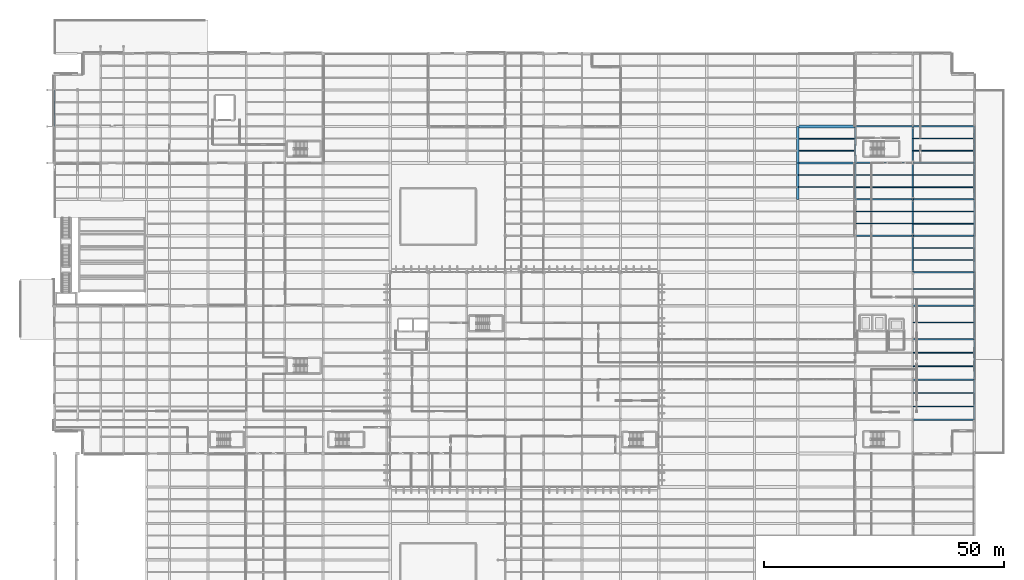
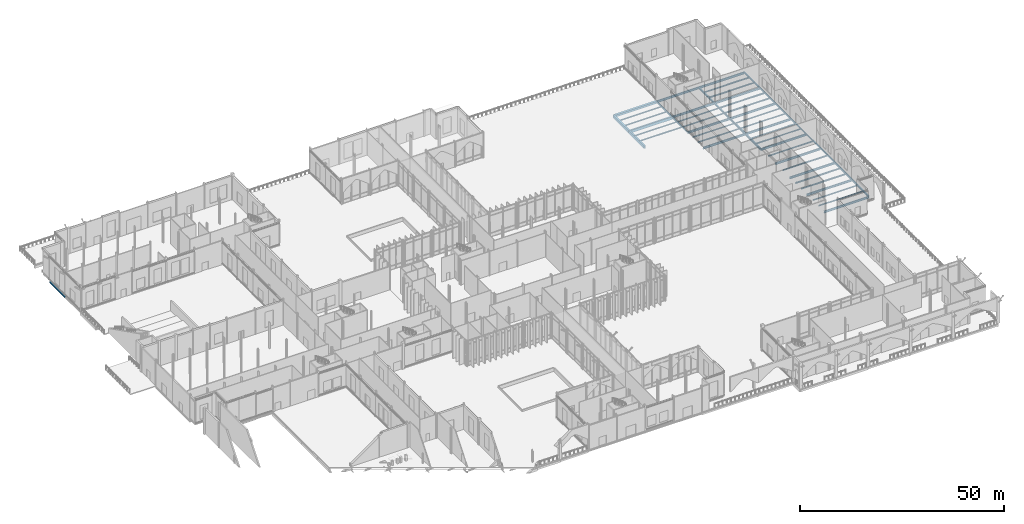
# One storey, part 112 of 176: 54 beams.
"""IFC4 building model written with IfcOpenShell, lengths in metres."""

from ifc_helpers import new_model, si_unit, direction, frame, origin, origin_2d, place, context, subcontext, project, spatial, rectangle, i_section, extrude, material, material_profile, profile_set, type_object, element, save


model = new_model("IFC4")

# Units and contexts
model_context = context("Model", 3, precision=1e-05, world=origin(), true_north=direction((0.0, 1.0)))
body_context = subcontext(model_context, "Body", "Model", "MODEL_VIEW")
ifc_project = project(units=[si_unit("LENGTHUNIT", "METRE"), si_unit("AREAUNIT", "SQUARE_METRE"), si_unit("VOLUMEUNIT", "CUBIC_METRE"), si_unit("PLANEANGLEUNIT", "RADIAN"), si_unit("MASSUNIT", "GRAM", prefix="KILO")], contexts=[model_context])

# Site, building, storey
site_placement = place(None, origin())
site = spatial("IfcSite", under=ifc_project, at=site_placement, CompositionType="ELEMENT")
building_placement = place(site_placement, origin())
building = spatial("IfcBuilding", under=site, at=building_placement, Name="Vekula Escarpment Museum", CompositionType="ELEMENT")
storey_placement = place(building_placement, origin())
storey = spatial("IfcBuildingStorey", under=building, at=storey_placement, Name="L01", CompositionType="ELEMENT", Elevation=0.0)

# Beams
ifc_material_1 = material(Name="Steel S355", Category="steel")
ifc_material_profile_1 = material_profile(ifc_material_1, i_section(OverallWidth=0.300048828125, OverallDepth=0.550048828125, WebThickness=0.014892578125, FlangeThickness=0.029052734375, FilletRadius=0.027099609375, at=origin_2d()), Name="HEB 550")
ifc_profile_set_1 = profile_set([ifc_material_profile_1], Name="Steel S355")
beam_type_1 = type_object("IfcBeamType", Name="BM-GIRD-HEB550", PredefinedType="BEAM", material=ifc_profile_set_1)
for number, where, z_axis, x_axis, name in (
    (1, (179.0, 90.39990234375, -0.574951171875), (0.0, 1.0, 0.0), (-1.0, 0.0, 0.0), "Beam Y L01 0756"),
    (2, (179.0, 98.0, -0.574951171875), (0.0, 1.0, 0.0), (-1.0, 0.0, 0.0), "Beam Y L01 0757"),
):
    element("IfcBeam", number, at=place(storey_placement, frame(where, z_axis=z_axis, x_axis=x_axis)), inside=storey, type_object=beam_type_1, Name=name, PredefinedType="BEAM", context=body_context, shape_type="SweptSolid", body=[
        extrude(i_section(OverallWidth=0.300048828125, OverallDepth=0.550048828125, WebThickness=0.014892578125, FlangeThickness=0.029052734375, FilletRadius=0.027099609375, at=origin_2d()), origin(), (0.0, 0.0, 1.0), 7.60009765625),
    ])
beam_1_placement = place(storey_placement, frame((179.0, 105.60009765625, -0.574951171875), z_axis=(0.0, 1.0, 0.0), x_axis=(-1.0, 0.0, 0.0)))
element("IfcBeam", 3, at=beam_1_placement, inside=storey, type_object=beam_type_1, Name="Beam Y L01 0758", PredefinedType="BEAM", context=body_context, shape_type="SweptSolid", body=[
    extrude(i_section(OverallWidth=0.300048828125, OverallDepth=0.550048828125, WebThickness=0.014892578125, FlangeThickness=0.029052734375, FilletRadius=0.027099609375, at=origin_2d()), origin(), (0.0, 0.0, 1.0), 7.599853515625),
])
beam_2_placement = place(storey_placement, frame((179.0, 113.199951171875, -0.574951171875), z_axis=(0.0, 1.0, 0.0), x_axis=(-1.0, 0.0, 0.0)))
element("IfcBeam", 4, at=beam_2_placement, inside=storey, type_object=beam_type_1, Name="Beam Y L01 0759", PredefinedType="BEAM", context=body_context, shape_type="SweptSolid", body=[
    extrude(i_section(OverallWidth=0.300048828125, OverallDepth=0.550048828125, WebThickness=0.014892578125, FlangeThickness=0.029052734375, FilletRadius=0.027099609375, at=origin_2d()), origin(), (0.0, 0.0, 1.0), 7.60009765625),
])
ifc_material_2 = material(Name="Steel S355", Category="steel")
ifc_material_profile_2 = material_profile(ifc_material_2, i_section(OverallWidth=0.300048828125, OverallDepth=0.60009765625, WebThickness=0.015380859375, FlangeThickness=0.030029296875, FilletRadius=0.027099609375, at=origin_2d()), Name="HEB 600")
ifc_profile_set_2 = profile_set([ifc_material_profile_2], Name="Steel S355")
beam_type_2 = type_object("IfcBeamType", Name="BM-GIRD-HEB600", PredefinedType="BEAM", material=ifc_profile_set_2)
for number, where, z_axis, x_axis, name in (
    (5, (179.0, 59.60009765625, -0.60009765625), (1.0, 0.0, 0.0), (0.0, 1.0, 0.0), "Beam X L01 0181"),
    (6, (179.0, 68.0, -0.60009765625), (1.0, 0.0, 0.0), (0.0, 1.0, 0.0), "Beam X L01 0204"),
    (7, (179.0, 76.39990234375, -0.60009765625), (1.0, 0.0, 0.0), (0.0, 1.0, 0.0), "Beam X L01 0227"),
    (8, (179.0, 83.39990234375, -0.60009765625), (1.0, 0.0, 0.0), (0.0, 1.0, 0.0), "Beam X L01 0250"),
    (9, (179.0, 90.39990234375, -0.60009765625), (1.0, 0.0, 0.0), (0.0, 1.0, 0.0), "Beam X L01 0269"),
):
    element("IfcBeam", number, at=place(storey_placement, frame(where, z_axis=z_axis, x_axis=x_axis)), inside=storey, type_object=beam_type_2, Name=name, PredefinedType="BEAM", context=body_context, shape_type="SweptSolid", body=[
        extrude(i_section(OverallWidth=0.300048828125, OverallDepth=0.60009765625, WebThickness=0.015380859375, FlangeThickness=0.030029296875, FilletRadius=0.027099609375, at=origin_2d()), origin(), (0.0, 0.0, 1.0), 12.800048828125),
    ])
beam_3_placement = place(storey_placement, frame((167.0, 98.0, -0.60009765625), z_axis=(1.0, 0.0, 0.0), x_axis=(0.0, 1.0, 0.0)))
element("IfcBeam", 10, at=beam_3_placement, inside=storey, type_object=beam_type_2, Name="Beam X L01 0284", PredefinedType="BEAM", context=body_context, shape_type="SweptSolid", body=[
    extrude(i_section(OverallWidth=0.300048828125, OverallDepth=0.60009765625, WebThickness=0.015380859375, FlangeThickness=0.030029296875, FilletRadius=0.027099609375, at=origin_2d()), origin(), (0.0, 0.0, 1.0), 12.0),
])
beam_4_placement = place(storey_placement, frame((179.0, 98.0, -0.60009765625), z_axis=(1.0, 0.0, 0.0), x_axis=(0.0, 1.0, 0.0)))
element("IfcBeam", 11, at=beam_4_placement, inside=storey, type_object=beam_type_2, Name="Beam X L01 0285", PredefinedType="BEAM", context=body_context, shape_type="SweptSolid", body=[
    extrude(i_section(OverallWidth=0.300048828125, OverallDepth=0.60009765625, WebThickness=0.015380859375, FlangeThickness=0.030029296875, FilletRadius=0.027099609375, at=origin_2d()), origin(), (0.0, 0.0, 1.0), 12.800048828125),
])
beam_5_placement = place(storey_placement, frame((167.0, 105.60009765625, -0.60009765625), z_axis=(1.0, 0.0, 0.0), x_axis=(0.0, 1.0, 0.0)))
element("IfcBeam", 12, at=beam_5_placement, inside=storey, type_object=beam_type_2, Name="Beam X L01 0304", PredefinedType="BEAM", context=body_context, shape_type="SweptSolid", body=[
    extrude(i_section(OverallWidth=0.300048828125, OverallDepth=0.60009765625, WebThickness=0.015380859375, FlangeThickness=0.030029296875, FilletRadius=0.027099609375, at=origin_2d()), origin(), (0.0, 0.0, 1.0), 12.0),
])
beam_6_placement = place(storey_placement, frame((179.0, 105.60009765625, -0.60009765625), z_axis=(1.0, 0.0, 0.0), x_axis=(0.0, 1.0, 0.0)))
element("IfcBeam", 13, at=beam_6_placement, inside=storey, type_object=beam_type_2, Name="Beam X L01 0305", PredefinedType="BEAM", context=body_context, shape_type="SweptSolid", body=[
    extrude(i_section(OverallWidth=0.300048828125, OverallDepth=0.60009765625, WebThickness=0.015380859375, FlangeThickness=0.030029296875, FilletRadius=0.027099609375, at=origin_2d()), origin(), (0.0, 0.0, 1.0), 12.800048828125),
])
beam_7_placement = place(storey_placement, frame((167.0, 113.199951171875, -0.60009765625), z_axis=(1.0, 0.0, 0.0), x_axis=(0.0, 1.0, 0.0)))
element("IfcBeam", 14, at=beam_7_placement, inside=storey, type_object=beam_type_2, Name="Beam X L01 0327", PredefinedType="BEAM", context=body_context, shape_type="SweptSolid", body=[
    extrude(i_section(OverallWidth=0.300048828125, OverallDepth=0.60009765625, WebThickness=0.015380859375, FlangeThickness=0.030029296875, FilletRadius=0.027099609375, at=origin_2d()), origin(), (0.0, 0.0, 1.0), 12.0),
])
beam_8_placement = place(storey_placement, frame((179.0, 113.199951171875, -0.60009765625), z_axis=(1.0, 0.0, 0.0), x_axis=(0.0, 1.0, 0.0)))
element("IfcBeam", 15, at=beam_8_placement, inside=storey, type_object=beam_type_2, Name="Beam X L01 0328", PredefinedType="BEAM", context=body_context, shape_type="SweptSolid", body=[
    extrude(i_section(OverallWidth=0.300048828125, OverallDepth=0.60009765625, WebThickness=0.015380859375, FlangeThickness=0.030029296875, FilletRadius=0.027099609375, at=origin_2d()), origin(), (0.0, 0.0, 1.0), 12.800048828125),
])
beam_9_placement = place(storey_placement, frame((167.0, 120.800048828125, -0.60009765625), z_axis=(1.0, 0.0, 0.0), x_axis=(0.0, 1.0, 0.0)))
element("IfcBeam", 16, at=beam_9_placement, inside=storey, type_object=beam_type_2, Name="Beam X L01 0350", PredefinedType="BEAM", context=body_context, shape_type="SweptSolid", body=[
    extrude(i_section(OverallWidth=0.300048828125, OverallDepth=0.60009765625, WebThickness=0.015380859375, FlangeThickness=0.030029296875, FilletRadius=0.027099609375, at=origin_2d()), origin(), (0.0, 0.0, 1.0), 12.0),
])
beam_10_placement = place(storey_placement, frame((179.0, 120.800048828125, -0.60009765625), z_axis=(1.0, 0.0, 0.0), x_axis=(0.0, 1.0, 0.0)))
element("IfcBeam", 17, at=beam_10_placement, inside=storey, type_object=beam_type_2, Name="Beam X L01 0351", PredefinedType="BEAM", context=body_context, shape_type="SweptSolid", body=[
    extrude(i_section(OverallWidth=0.300048828125, OverallDepth=0.60009765625, WebThickness=0.015380859375, FlangeThickness=0.030029296875, FilletRadius=0.027099609375, at=origin_2d()), origin(), (0.0, 0.0, 1.0), 12.800048828125),
])
ifc_material_3 = material(Name="Steel S355", Category="steel")
ifc_material_profile_3 = material_profile(ifc_material_3, i_section(OverallWidth=0.1201171875, OverallDepth=0.239990234375, WebThickness=0.006103515625, FlangeThickness=0.009765625, FilletRadius=0.014892578125, at=origin_2d()), Name="IPE 240")
ifc_profile_set_3 = profile_set([ifc_material_profile_3], Name="Steel S355")
beam_type_3 = type_object("IfcBeamType", Name="BM-JST-IPE240", PredefinedType="JOIST", material=ifc_profile_set_3)
for number, where, z_axis, x_axis, name in (
    (18, (155.090087890625, 108.13330078125, -0.419921875), (1.0, 0.0, 0.0), (0.0, 1.0, 0.0), "Secondary Joist L01 0531"),
    (19, (155.090087890625, 110.666748046875, -0.419921875), (1.0, 0.0, 0.0), (0.0, 1.0, 0.0), "Secondary Joist L01 0532"),
    (20, (167.090087890625, 100.533203125, -0.419921875), (1.0, 0.0, 0.0), (0.0, 1.0, 0.0), "Secondary Joist L01 0559"),
    (21, (167.090087890625, 103.066650390625, -0.419921875), (1.0, 0.0, 0.0), (0.0, 1.0, 0.0), "Secondary Joist L01 0560"),
):
    element("IfcBeam", number, at=place(storey_placement, frame(where, z_axis=z_axis, x_axis=x_axis)), inside=storey, type_object=beam_type_3, Name=name, PredefinedType="JOIST", context=body_context, shape_type="SweptSolid", body=[
        extrude(i_section(OverallWidth=0.1201171875, OverallDepth=0.239990234375, WebThickness=0.006103515625, FlangeThickness=0.009765625, FilletRadius=0.014892578125, at=origin_2d()), origin(), (0.0, 0.0, 1.0), 11.81982421875),
    ])
for number, where, z_axis, x_axis, name in (
    (22, (179.090087890625, 92.933349609375, -0.419921875), (1.0, 0.0, 0.0), (0.0, 1.0, 0.0), "Secondary Joist L01 0585"),
    (23, (179.090087890625, 95.466796875, -0.419921875), (1.0, 0.0, 0.0), (0.0, 1.0, 0.0), "Secondary Joist L01 0586"),
):
    element("IfcBeam", number, at=place(storey_placement, frame(where, z_axis=z_axis, x_axis=x_axis)), inside=storey, type_object=beam_type_3, Name=name, PredefinedType="JOIST", context=body_context, shape_type="SweptSolid", body=[
        extrude(i_section(OverallWidth=0.1201171875, OverallDepth=0.239990234375, WebThickness=0.006103515625, FlangeThickness=0.009765625, FilletRadius=0.014892578125, at=origin_2d()), origin(), (0.0, 0.0, 1.0), 12.619873046875),
    ])
ifc_material_4 = material(Name="Steel S355", Category="steel")
ifc_material_profile_4 = material_profile(ifc_material_4, i_section(OverallWidth=0.135009765625, OverallDepth=0.27001953125, WebThickness=0.006591796875, FlangeThickness=0.01025390625, FilletRadius=0.014892578125, at=origin_2d()), Name="IPE 270")
ifc_profile_set_4 = profile_set([ifc_material_profile_4], Name="Steel S355")
beam_type_4 = type_object("IfcBeamType", Name="BM-JST-IPE270", PredefinedType="JOIST", material=ifc_profile_set_4)
beam_11_placement = place(storey_placement, frame((179.090087890625, 86.89990234375, -0.43505859375), z_axis=(1.0, 0.0, 0.0), x_axis=(0.0, 1.0, 0.0)))
element("IfcBeam", 24, at=beam_11_placement, inside=storey, type_object=beam_type_4, Name="Secondary Joist L01 0584", PredefinedType="JOIST", context=body_context, shape_type="SweptSolid", body=[
    extrude(i_section(OverallWidth=0.135009765625, OverallDepth=0.27001953125, WebThickness=0.006591796875, FlangeThickness=0.01025390625, FilletRadius=0.014892578125, at=origin_2d()), origin(), (0.0, 0.0, 1.0), 12.619873046875),
])
ifc_material_5 = material(Name="Steel S355", Category="steel")
ifc_material_profile_5 = material_profile(ifc_material_5, i_section(OverallWidth=0.14990234375, OverallDepth=0.300048828125, WebThickness=0.007080078125, FlangeThickness=0.0107421875, FilletRadius=0.014892578125, at=origin_2d()), Name="IPE 300")
ifc_profile_set_5 = profile_set([ifc_material_profile_5], Name="Steel S355")
beam_type_5 = type_object("IfcBeamType", Name="BM-JST-IPE300", PredefinedType="JOIST", material=ifc_profile_set_5)
for number, where, z_axis, x_axis, name in (
    (25, (179.090087890625, 79.89990234375, -0.449951171875), (1.0, 0.0, 0.0), (0.0, 1.0, 0.0), "Secondary Joist L01 0583"),
    (26, (179.090087890625, 115.7333984375, -0.449951171875), (1.0, 0.0, 0.0), (0.0, 1.0, 0.0), "Secondary Joist L01 0591"),
    (27, (179.090087890625, 118.2666015625, -0.449951171875), (1.0, 0.0, 0.0), (0.0, 1.0, 0.0), "Secondary Joist L01 0592"),
):
    element("IfcBeam", number, at=place(storey_placement, frame(where, z_axis=z_axis, x_axis=x_axis)), inside=storey, type_object=beam_type_5, Name=name, PredefinedType="JOIST", context=body_context, shape_type="SweptSolid", body=[
        extrude(i_section(OverallWidth=0.14990234375, OverallDepth=0.300048828125, WebThickness=0.007080078125, FlangeThickness=0.0107421875, FilletRadius=0.014892578125, at=origin_2d()), origin(), (0.0, 0.0, 1.0), 12.619873046875),
    ])
ifc_material_6 = material(Name="Steel S355", Category="steel")
ifc_material_profile_6 = material_profile(ifc_material_6, i_section(OverallWidth=0.159912109375, OverallDepth=0.330078125, WebThickness=0.007568359375, FlangeThickness=0.011474609375, FilletRadius=0.01806640625, at=origin_2d()), Name="IPE 330")
ifc_profile_set_6 = profile_set([ifc_material_profile_6], Name="Steel S355")
beam_type_6 = type_object("IfcBeamType", Name="BM-JST-IPE330", PredefinedType="JOIST", material=ifc_profile_set_6)
for number, where, z_axis, x_axis, name in (
    (28, (179.090087890625, 70.800048828125, -0.465087890625), (1.0, 0.0, 0.0), (0.0, 1.0, 0.0), "Secondary Joist L01 0581"),
    (29, (179.090087890625, 73.60009765625, -0.465087890625), (1.0, 0.0, 0.0), (0.0, 1.0, 0.0), "Secondary Joist L01 0582"),
    (30, (179.090087890625, 108.13330078125, -0.465087890625), (1.0, 0.0, 0.0), (0.0, 1.0, 0.0), "Secondary Joist L01 0589"),
    (31, (179.090087890625, 110.666748046875, -0.465087890625), (1.0, 0.0, 0.0), (0.0, 1.0, 0.0), "Secondary Joist L01 0590"),
):
    element("IfcBeam", number, at=place(storey_placement, frame(where, z_axis=z_axis, x_axis=x_axis)), inside=storey, type_object=beam_type_6, Name=name, PredefinedType="JOIST", context=body_context, shape_type="SweptSolid", body=[
        extrude(i_section(OverallWidth=0.159912109375, OverallDepth=0.330078125, WebThickness=0.007568359375, FlangeThickness=0.011474609375, FilletRadius=0.01806640625, at=origin_2d()), origin(), (0.0, 0.0, 1.0), 12.619873046875),
    ])
ifc_material_7 = material(Name="Steel S355", Category="steel")
ifc_material_profile_7 = material_profile(ifc_material_7, i_section(OverallWidth=0.169921875, OverallDepth=0.360107421875, WebThickness=0.008056640625, FlangeThickness=0.0126953125, FilletRadius=0.01806640625, at=origin_2d()), Name="IPE 360")
ifc_profile_set_7 = profile_set([ifc_material_profile_7], Name="Steel S355")
beam_type_7 = type_object("IfcBeamType", Name="BM-JST-IPE360", PredefinedType="JOIST", material=ifc_profile_set_7)
for number, where, z_axis, x_axis, name in (
    (32, (155.090087890625, 115.7333984375, -0.47998046875), (1.0, 0.0, 0.0), (0.0, 1.0, 0.0), "Secondary Joist L01 0533"),
    (33, (155.090087890625, 118.2666015625, -0.47998046875), (1.0, 0.0, 0.0), (0.0, 1.0, 0.0), "Secondary Joist L01 0534"),
    (34, (167.090087890625, 108.13330078125, -0.47998046875), (1.0, 0.0, 0.0), (0.0, 1.0, 0.0), "Secondary Joist L01 0561"),
    (35, (167.090087890625, 110.666748046875, -0.47998046875), (1.0, 0.0, 0.0), (0.0, 1.0, 0.0), "Secondary Joist L01 0562"),
):
    element("IfcBeam", number, at=place(storey_placement, frame(where, z_axis=z_axis, x_axis=x_axis)), inside=storey, type_object=beam_type_7, Name=name, PredefinedType="JOIST", context=body_context, shape_type="SweptSolid", body=[
        extrude(i_section(OverallWidth=0.169921875, OverallDepth=0.360107421875, WebThickness=0.008056640625, FlangeThickness=0.0126953125, FilletRadius=0.01806640625, at=origin_2d()), origin(), (0.0, 0.0, 1.0), 11.81982421875),
    ])
for number, where, z_axis, x_axis, name in (
    (36, (179.090087890625, 62.39990234375, -0.47998046875), (1.0, 0.0, 0.0), (0.0, 1.0, 0.0), "Secondary Joist L01 0579"),
    (37, (179.090087890625, 65.199951171875, -0.47998046875), (1.0, 0.0, 0.0), (0.0, 1.0, 0.0), "Secondary Joist L01 0580"),
    (38, (179.090087890625, 100.533203125, -0.47998046875), (1.0, 0.0, 0.0), (0.0, 1.0, 0.0), "Secondary Joist L01 0587"),
    (39, (179.090087890625, 103.066650390625, -0.47998046875), (1.0, 0.0, 0.0), (0.0, 1.0, 0.0), "Secondary Joist L01 0588"),
):
    element("IfcBeam", number, at=place(storey_placement, frame(where, z_axis=z_axis, x_axis=x_axis)), inside=storey, type_object=beam_type_7, Name=name, PredefinedType="JOIST", context=body_context, shape_type="SweptSolid", body=[
        extrude(i_section(OverallWidth=0.169921875, OverallDepth=0.360107421875, WebThickness=0.008056640625, FlangeThickness=0.0126953125, FilletRadius=0.01806640625, at=origin_2d()), origin(), (0.0, 0.0, 1.0), 12.619873046875),
    ])
ifc_material_8 = material(Name="Concrete C35/45", Category="concrete")
ifc_material_profile_8 = material_profile(ifc_material_8, rectangle(XDim=0.449951171875, YDim=0.800048828125, at=origin_2d()), Name="RC 450x800")
ifc_profile_set_8 = profile_set([ifc_material_profile_8], Name="Concrete C35/45")
beam_type_8 = type_object("IfcBeamType", Name="BM-PLINTH-RC", PredefinedType="BEAM", material=ifc_profile_set_8)
beam_12_placement = place(storey_placement, frame((155.0, 113.199951171875, -0.699951171875), z_axis=(1.0, 0.0, 0.0), x_axis=(0.0, 1.0, 0.0)))
element("IfcBeam", 40, at=beam_12_placement, inside=storey, type_object=beam_type_8, Name="Beam X L01 0326", PredefinedType="BEAM", context=body_context, shape_type="SweptSolid", body=[
    extrude(rectangle(XDim=0.449951171875, YDim=0.800048828125, at=origin_2d()), origin(), (0.0, 0.0, 1.0), 12.0),
])
beam_13_placement = place(storey_placement, frame((155.0, 105.60009765625, -0.699951171875), z_axis=(0.0, 1.0, 0.0), x_axis=(-1.0, 0.0, 0.0)))
element("IfcBeam", 41, at=beam_13_placement, inside=storey, type_object=beam_type_8, Name="Beam Y L01 0720", PredefinedType="BEAM", context=body_context, shape_type="SweptSolid", body=[
    extrude(rectangle(XDim=0.449951171875, YDim=0.800048828125, at=origin_2d()), origin(), (0.0, 0.0, 1.0), 7.599853515625),
])
beam_14_placement = place(storey_placement, frame((155.0, 113.199951171875, -0.699951171875), z_axis=(0.0, 1.0, 0.0), x_axis=(-1.0, 0.0, 0.0)))
element("IfcBeam", 42, at=beam_14_placement, inside=storey, type_object=beam_type_8, Name="Beam Y L01 0721", PredefinedType="BEAM", context=body_context, shape_type="SweptSolid", body=[
    extrude(rectangle(XDim=0.449951171875, YDim=0.800048828125, at=origin_2d()), origin(), (0.0, 0.0, 1.0), 7.60009765625),
])
ifc_material_9 = material(Name="Concrete C35/45", Category="concrete")
ifc_material_profile_9 = material_profile(ifc_material_9, rectangle(XDim=0.60009765625, YDim=0.60009765625, at=origin_2d()), Name="RC 600x600")
ifc_profile_set_9 = profile_set([ifc_material_profile_9], Name="Concrete C35/45")
beam_type_9 = type_object("IfcBeamType", Name="BM-PLINTH-RC4", PredefinedType="BEAM", material=ifc_profile_set_9)
beam_15_placement = place(storey_placement, frame((155.0, 120.800048828125, -0.60009765625), z_axis=(1.0, 0.0, 0.0), x_axis=(0.0, 1.0, 0.0)))
element("IfcBeam", 43, at=beam_15_placement, inside=storey, type_object=beam_type_9, Name="Beam X L01 0349", PredefinedType="BEAM", context=body_context, shape_type="SweptSolid", body=[
    extrude(rectangle(XDim=0.60009765625, YDim=0.60009765625, at=origin_2d()), origin(), (0.0, 0.0, 1.0), 12.0),
])
ifc_material_10 = material(Name="Steel S355", Category="steel")
ifc_material_profile_10 = material_profile(ifc_material_10, i_section(OverallWidth=0.300048828125, OverallDepth=0.2900390625, WebThickness=0.008544921875, FlangeThickness=0.013916015625, FilletRadius=0.027099609375, at=origin_2d()), Name="HEA 300")
ifc_profile_set_10 = profile_set([ifc_material_profile_10], Name="Steel S355")
beam_type_10 = type_object("IfcBeamType", Name="BM-SPAN-HEA300", PredefinedType="SPANDREL", material=ifc_profile_set_10)
for number, where, z_axis, x_axis, name in (
    (44, (0.0, 120.800048828125, -0.4951171875), (0.0, 1.0, 0.0), (-1.0, 0.0, 0.0), "Beam Y L01 0402"),
    (45, (167.0, 105.60009765625, -0.445068359375), (0.0, 1.0, 0.0), (-1.0, 0.0, 0.0), "Beam Y L01 0739"),
):
    element("IfcBeam", number, at=place(storey_placement, frame(where, z_axis=z_axis, x_axis=x_axis)), inside=storey, type_object=beam_type_10, Name=name, PredefinedType="SPANDREL", context=body_context, shape_type="SweptSolid", body=[
        extrude(i_section(OverallWidth=0.300048828125, OverallDepth=0.2900390625, WebThickness=0.008544921875, FlangeThickness=0.013916015625, FilletRadius=0.027099609375, at=origin_2d()), origin(), (0.0, 0.0, 1.0), 7.599853515625),
    ])
beam_16_placement = place(storey_placement, frame((167.0, 113.199951171875, -0.445068359375), z_axis=(0.0, 1.0, 0.0), x_axis=(-1.0, 0.0, 0.0)))
element("IfcBeam", 46, at=beam_16_placement, inside=storey, type_object=beam_type_10, Name="Beam Y L01 0740", PredefinedType="SPANDREL", context=body_context, shape_type="SweptSolid", body=[
    extrude(i_section(OverallWidth=0.300048828125, OverallDepth=0.2900390625, WebThickness=0.008544921875, FlangeThickness=0.013916015625, FilletRadius=0.027099609375, at=origin_2d()), origin(), (0.0, 0.0, 1.0), 7.60009765625),
])
for number, where, z_axis, x_axis, name in (
    (47, (191.800048828125, 76.39990234375, -0.445068359375), (0.0, 1.0, 0.0), (-1.0, 0.0, 0.0), "Beam Y L01 0773"),
    (48, (191.800048828125, 83.39990234375, -0.445068359375), (0.0, 1.0, 0.0), (-1.0, 0.0, 0.0), "Beam Y L01 0774"),
):
    element("IfcBeam", number, at=place(storey_placement, frame(where, z_axis=z_axis, x_axis=x_axis)), inside=storey, type_object=beam_type_10, Name=name, PredefinedType="SPANDREL", context=body_context, shape_type="SweptSolid", body=[
        extrude(i_section(OverallWidth=0.300048828125, OverallDepth=0.2900390625, WebThickness=0.008544921875, FlangeThickness=0.013916015625, FilletRadius=0.027099609375, at=origin_2d()), origin(), (0.0, 0.0, 1.0), 7.0),
    ])
for number, where, z_axis, x_axis, name in (
    (49, (191.800048828125, 90.39990234375, -0.445068359375), (0.0, 1.0, 0.0), (-1.0, 0.0, 0.0), "Beam Y L01 0775"),
    (50, (191.800048828125, 98.0, -0.445068359375), (0.0, 1.0, 0.0), (-1.0, 0.0, 0.0), "Beam Y L01 0776"),
):
    element("IfcBeam", number, at=place(storey_placement, frame(where, z_axis=z_axis, x_axis=x_axis)), inside=storey, type_object=beam_type_10, Name=name, PredefinedType="SPANDREL", context=body_context, shape_type="SweptSolid", body=[
        extrude(i_section(OverallWidth=0.300048828125, OverallDepth=0.2900390625, WebThickness=0.008544921875, FlangeThickness=0.013916015625, FilletRadius=0.027099609375, at=origin_2d()), origin(), (0.0, 0.0, 1.0), 7.60009765625),
    ])
beam_17_placement = place(storey_placement, frame((191.800048828125, 105.60009765625, -0.445068359375), z_axis=(0.0, 1.0, 0.0), x_axis=(-1.0, 0.0, 0.0)))
element("IfcBeam", 51, at=beam_17_placement, inside=storey, type_object=beam_type_10, Name="Beam Y L01 0777", PredefinedType="SPANDREL", context=body_context, shape_type="SweptSolid", body=[
    extrude(i_section(OverallWidth=0.300048828125, OverallDepth=0.2900390625, WebThickness=0.008544921875, FlangeThickness=0.013916015625, FilletRadius=0.027099609375, at=origin_2d()), origin(), (0.0, 0.0, 1.0), 7.599853515625),
])
beam_18_placement = place(storey_placement, frame((191.800048828125, 113.199951171875, -0.445068359375), z_axis=(0.0, 1.0, 0.0), x_axis=(-1.0, 0.0, 0.0)))
element("IfcBeam", 52, at=beam_18_placement, inside=storey, type_object=beam_type_10, Name="Beam Y L01 0778", PredefinedType="SPANDREL", context=body_context, shape_type="SweptSolid", body=[
    extrude(i_section(OverallWidth=0.300048828125, OverallDepth=0.2900390625, WebThickness=0.008544921875, FlangeThickness=0.013916015625, FilletRadius=0.027099609375, at=origin_2d()), origin(), (0.0, 0.0, 1.0), 7.60009765625),
])
ifc_material_11 = material(Name="Steel S355", Category="steel")
ifc_material_profile_11 = material_profile(ifc_material_11, i_section(OverallWidth=0.300048828125, OverallDepth=0.43994140625, WebThickness=0.011474609375, FlangeThickness=0.02099609375, FilletRadius=0.027099609375, at=origin_2d()), Name="HEA 450")
ifc_profile_set_11 = profile_set([ifc_material_profile_11], Name="Steel S355")
beam_type_11 = type_object("IfcBeamType", Name="BM-SPAN-HEA450", PredefinedType="SPANDREL", material=ifc_profile_set_11)
for number, where, z_axis, x_axis, name in (
    (53, (191.800048828125, 59.60009765625, -0.52001953125), (0.0, 1.0, 0.0), (-1.0, 0.0, 0.0), "Beam Y L01 0771"),
    (54, (191.800048828125, 68.0, -0.52001953125), (0.0, 1.0, 0.0), (-1.0, 0.0, 0.0), "Beam Y L01 0772"),
):
    element("IfcBeam", number, at=place(storey_placement, frame(where, z_axis=z_axis, x_axis=x_axis)), inside=storey, type_object=beam_type_11, Name=name, PredefinedType="SPANDREL", context=body_context, shape_type="SweptSolid", body=[
        extrude(i_section(OverallWidth=0.300048828125, OverallDepth=0.43994140625, WebThickness=0.011474609375, FlangeThickness=0.02099609375, FilletRadius=0.027099609375, at=origin_2d()), origin(), (0.0, 0.0, 1.0), 8.39990234375),
    ])

save(model, "model.ifc")
